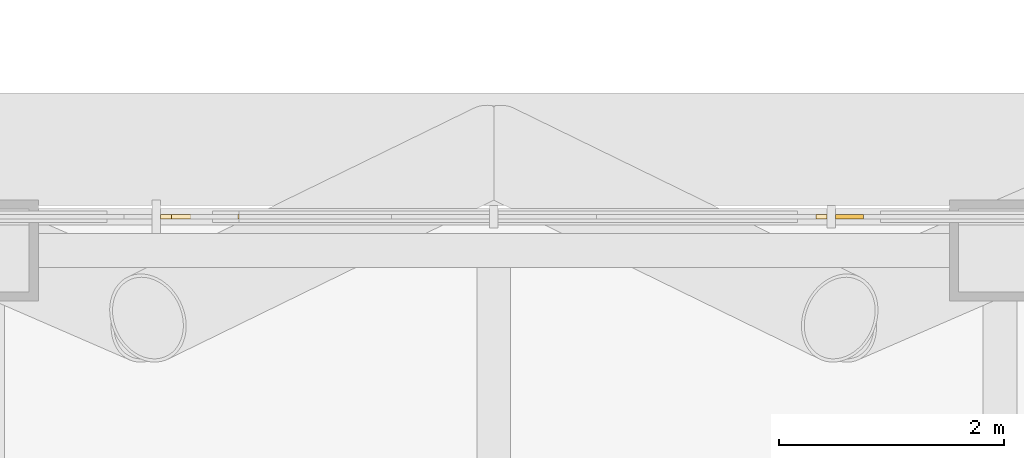
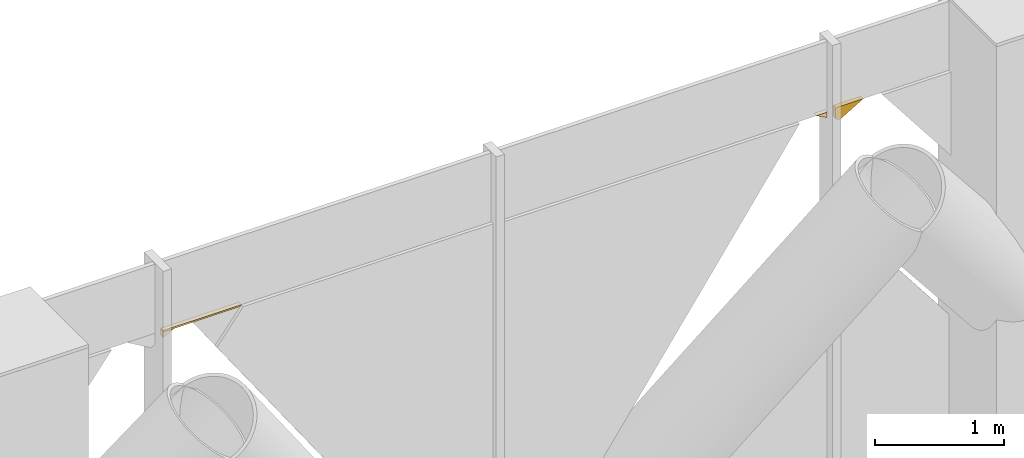
# One storey, part 24 of 26: 4 coverings.
"""IFC4 building model written with IfcOpenShell, lengths in metres."""

from ifc_helpers import new_model, si_unit, direction, frame, origin, place, context, subcontext, project, spatial, polyline, outline, extrude, material, layer, layer_set, type_object, element, save


model = new_model("IFC4")

# Units and contexts
model_context = context("Model", 3, precision=1e-05, world=origin(), true_north=direction((0.0, 1.0)))
body_context = subcontext(model_context, "Body", "Model", "MODEL_VIEW")
ifc_project = project(units=[si_unit("LENGTHUNIT", "METRE"), si_unit("AREAUNIT", "SQUARE_METRE"), si_unit("VOLUMEUNIT", "CUBIC_METRE"), si_unit("PLANEANGLEUNIT", "RADIAN"), si_unit("MASSUNIT", "GRAM", prefix="KILO")], contexts=[model_context])

# Site, building, storey
site_placement = place(None, origin())
site = spatial("IfcSite", under=ifc_project, at=site_placement, CompositionType="ELEMENT")
building_placement = place(site_placement, origin())
building = spatial("IfcBuilding", under=site, at=building_placement, Name="Malebo Sky Hospital", CompositionType="ELEMENT")
storey_placement = place(building_placement, frame((0.0, 0.0, 95.0)))
storey = spatial("IfcBuildingStorey", under=building, at=storey_placement, Name="L22", CompositionType="ELEMENT", Elevation=95.0)

# Coverings
ifc_material = material(Name="Anodised aluminium, natural silver insulated infill panel", Category="aluminium")
ifc_layer = layer(ifc_material, 0.0400390625)
ifc_layer_set = layer_set([ifc_layer], Name="BRACE INFILL PANEL 40")
covering_type = type_object("IfcCoveringType", Name="BRACE INFILL PANEL 40", PredefinedType="CLADDING", material=ifc_layer_set)
covering_1_placement = place(storey_placement, frame((57.0859375, 87.5, 4.27197265625), z_axis=(0.0, 0.0, 1.0), x_axis=(1.0, 0.0, 0.0)))
element("IfcCovering", 1, at=covering_1_placement, inside=storey, type_object=covering_type, Name="Brace infill panel 7.4", PredefinedType="CLADDING", context=body_context, shape_type="SweptSolid", body=[
    extrude(outline(polyline([(-0.048583984375, 0.0), (0.048583984375, 0.051513671875), (-0.048583984375, 0.051513671875), (-0.048583984375, 0.0)])), frame((0.0, 0.02001953125, 0.0), z_axis=(0.0, -1.0, 0.0), x_axis=(1.0, 0.0, 0.0)), (0.0, 0.0, 1.0), 0.0400390625),
])
covering_2_placement = place(storey_placement, frame((57.38671875, 87.5, 4.3232421875), z_axis=(0.0, 0.0, 1.0), x_axis=(1.0, 0.0, 0.0)))
element("IfcCovering", 2, at=covering_2_placement, inside=storey, type_object=covering_type, Name="Brace infill panel 7.5", PredefinedType="CLADDING", context=body_context, shape_type="SweptSolid", body=[
    extrude(outline(polyline([(-0.34912109375, 0.0), (0.337890625, 0.0), (0.34912109375, 0.0146484375), (-0.34912109375, 0.0146484375), (-0.34912109375, 0.0)])), frame((0.0, 0.02001953125, 0.0), z_axis=(0.0, -1.0, 0.0), x_axis=(1.0, 0.0, 0.0)), (0.0, 0.0, 1.0), 0.0400390625),
])
covering_3_placement = place(storey_placement, frame((62.9140625, 87.5, 4.27197265625), z_axis=(0.0, 0.0, 1.0), x_axis=(1.0, 0.0, 0.0)))
element("IfcCovering", 3, at=covering_3_placement, inside=storey, type_object=covering_type, Name="Brace infill panel 8.3", PredefinedType="CLADDING", context=body_context, shape_type="SweptSolid", body=[
    extrude(outline(polyline([(0.048583984375, 0.0), (0.048583984375, 0.051513671875), (-0.048583984375, 0.051513671875), (0.048583984375, 0.0)])), frame((0.0, 0.02001953125, 0.0), z_axis=(0.0, -1.0, 0.0), x_axis=(1.0, 0.0, 0.0)), (0.0, 0.0, 1.0), 0.0400390625),
])
covering_4_placement = place(storey_placement, frame((63.16162109375, 87.5, 4.21337890625), z_axis=(0.0, 0.0, 1.0), x_axis=(1.0, 0.0, 0.0)))
element("IfcCovering", 4, at=covering_4_placement, inside=storey, type_object=covering_type, Name="Brace infill panel 9.3", PredefinedType="CLADDING", context=body_context, shape_type="SweptSolid", body=[
    extrude(outline(polyline([(-0.08837890625, 0.0), (0.1240234375, 0.124755859375), (-0.1240234375, 0.124755859375), (-0.1240234375, 0.018798828125), (-0.08837890625, 0.0)])), frame((0.0, 0.02001953125, 0.0), z_axis=(0.0, -1.0, 0.0), x_axis=(1.0, 0.0, 0.0)), (0.0, 0.0, 1.0), 0.0400390625),
])

save(model, "model.ifc")
